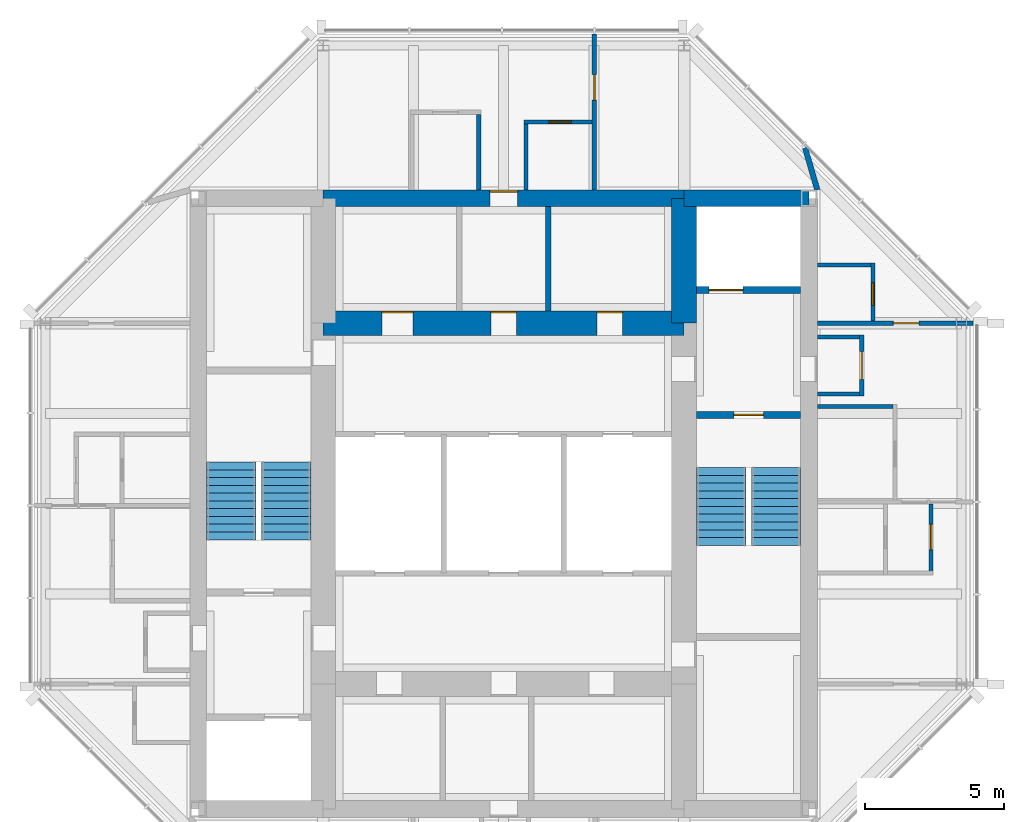
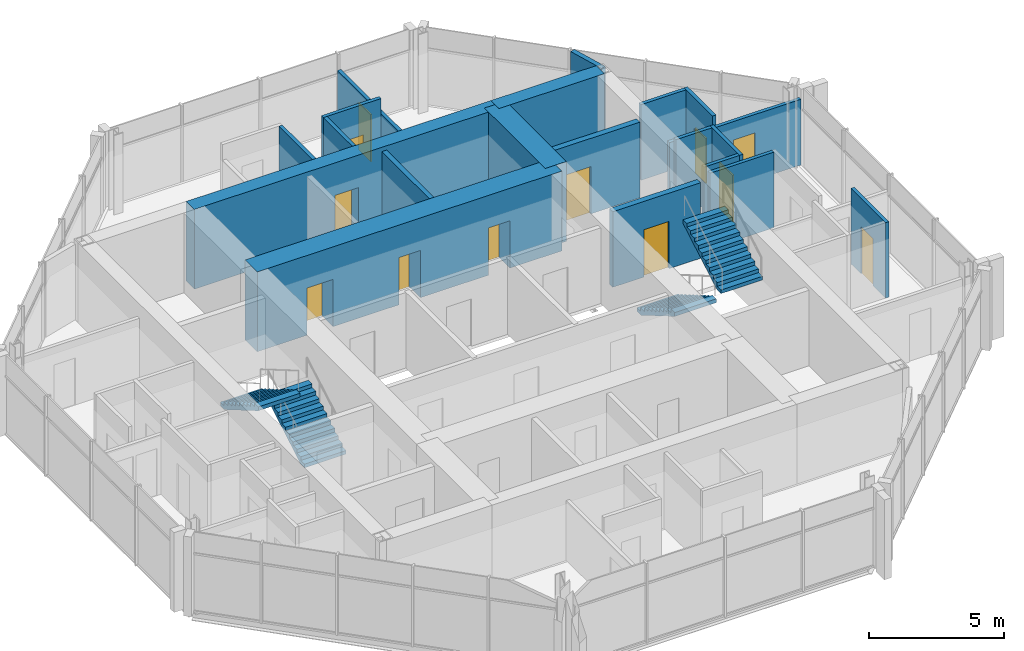
# One storey, part 7 of 9: 20 walls, 12 doors, 4 stair flights, 12 openings, 2 elements without a shape of their own.
"""IFC4 building model written with IfcOpenShell, lengths in metres."""

import ifcopenshell
import ifcopenshell.guid

model = None  # the IFC model being written
_history = None  # IfcOwnerHistory: only IFC2X3 demands one
_inside = {}  # id of a spatial element -> (the spatial element, [elements in it])
_under = {}  # id of a project, library or spatial element -> (it, [spatial elements below it])
_declared = {}  # id of a project -> (the project, [libraries it declares])
_typed = {}  # id of a type object -> (the type object, [elements of that type])
_made_of = {}  # id of a material, layer set ... -> (it, [elements and type objects made of it])


def new_model(schema):
    """Start an empty IFC model of exactly this schema.

    Asked for "IFC4X3", IfcOpenShell would pick the latest addendum, in which some entities
    have other attributes; the version numbers below select the first issue.
    IFC2X3 requires an IfcOwnerHistory on every rooted entity: one is made here for all.
    """
    global model, _history
    if schema == "IFC4X3":
        model = ifcopenshell.file(schema_version=(4, 3, 0, 0))
    else:
        model = ifcopenshell.file(schema=schema)
    _inside.clear()
    _under.clear()
    _declared.clear()
    _typed.clear()
    _made_of.clear()
    _history = None
    if model.schema == "IFC2X3":
        org = make("IfcOrganization", Name="unknown")
        user = make(
            "IfcPersonAndOrganization",
            ThePerson=make("IfcPerson", FamilyName="unknown"),
            TheOrganization=org,
        )
        app = make(
            "IfcApplication",
            ApplicationDeveloper=org,
            Version="unknown",
            ApplicationFullName="unknown",
            ApplicationIdentifier="unknown",
        )
        _history = make(
            "IfcOwnerHistory",
            OwningUser=user,
            OwningApplication=app,
            ChangeAction="ADDED",
            CreationDate=0,
        )
    return model


def make(cls, **values):
    """One entity of the class cls with the attributes given. An attribute that is None is left unset."""
    return model.create_entity(
        cls, **{name: value for name, value in values.items() if value is not None}
    )


def rooted(cls, **values):
    """An entity with a GlobalId (a new one), such as an element, a storey or a relation."""
    return make(cls, GlobalId=ifcopenshell.guid.new(), OwnerHistory=_history, **values)


def si_unit(unit_type, name, prefix=None):
    """IfcSIUnit, for example si_unit("LENGTHUNIT", "METRE", prefix="MILLI")."""
    return make("IfcSIUnit", UnitType=unit_type, Prefix=prefix, Name=name)


def assignment(units):
    """IfcUnitAssignment: the units of a project."""
    return None if units is None else make("IfcUnitAssignment", Units=units)


def point(xyz):
    """IfcCartesianPoint."""
    return None if xyz is None else make("IfcCartesianPoint", Coordinates=xyz)


def direction(xyz):
    """IfcDirection."""
    return None if xyz is None else make("IfcDirection", DirectionRatios=xyz)


def frame(location, z_axis=None, x_axis=None):
    """IfcAxis2Placement3D, a coordinate frame: its origin and axes. An axis left out is left unset."""
    return make(
        "IfcAxis2Placement3D",
        Location=point(location),
        Axis=direction(z_axis),
        RefDirection=direction(x_axis),
    )


def frame_2d(location, x_axis=None):
    """IfcAxis2Placement2D, a coordinate frame in the plane: its origin and x axis."""
    return make(
        "IfcAxis2Placement2D", Location=point(location), RefDirection=direction(x_axis)
    )


def origin():
    """The frame at (0, 0, 0) with its axes left unset."""
    return frame((0.0, 0.0, 0.0))


def place(relative_to, where):
    """IfcLocalPlacement: puts the frame where relative to a parent placement (None: the world)."""
    return make(
        "IfcLocalPlacement", PlacementRelTo=relative_to, RelativePlacement=where
    )


def context(
    kind, dimensions, precision=None, world=None, true_north=None, identifier=None
):
    """IfcGeometricRepresentationContext, for example the 3D "Model" context."""
    return make(
        "IfcGeometricRepresentationContext",
        ContextIdentifier=identifier,
        ContextType=kind,
        CoordinateSpaceDimension=dimensions,
        Precision=precision,
        WorldCoordinateSystem=world,
        TrueNorth=true_north,
    )


def subcontext(parent, identifier, kind, view, scale=None):
    """IfcGeometricRepresentationSubContext, for example "Body" below "Model"."""
    return make(
        "IfcGeometricRepresentationSubContext",
        ContextIdentifier=identifier,
        ContextType=kind,
        ParentContext=parent,
        TargetScale=scale,
        TargetView=view,
    )


def project(units=None, contexts=None):
    """IfcProject with its units and contexts."""
    return rooted(
        "IfcProject",
        Name="project",
        RepresentationContexts=contexts,
        UnitsInContext=assignment(units),
    )


def spatial(cls, under=None, at=None, **own):
    """A site, building, storey or space (cls), placed at a placement, below another one or the project."""
    s = rooted(cls, ObjectPlacement=at, **own)
    if under is not None:
        _under.setdefault(under.id(), (under, []))[1].append(s)
    return s


def polyline(points):
    """IfcPolyline through the points."""
    return make("IfcPolyline", Points=[point(p) for p in points])


def profile(cls, at=None, kind="AREA", **sizes):
    """A parametric profile (cls). Its sizes go by their IFC names, for example OverallWidth=200.0."""
    return make(cls, ProfileType=kind, Position=at, **sizes)


def rectangle(**sizes):
    """IfcRectangleProfileDef."""
    return profile("IfcRectangleProfileDef", **sizes)


def outline(outer, holes=None, kind="AREA"):
    """IfcArbitraryClosedProfileDef: a profile drawn as a closed curve; with holes, ...WithVoids."""
    if holes is None:
        return make("IfcArbitraryClosedProfileDef", ProfileType=kind, OuterCurve=outer)
    return make(
        "IfcArbitraryProfileDefWithVoids",
        ProfileType=kind,
        OuterCurve=outer,
        InnerCurves=holes,
    )


def extrude(swept, where, along, depth):
    """IfcExtrudedAreaSolid: the profile swept, set in the frame where, extruded along a direction by depth."""
    return make(
        "IfcExtrudedAreaSolid",
        SweptArea=swept,
        Position=where,
        ExtrudedDirection=direction(along),
        Depth=depth,
    )


def shape(context_of_items, identifier, shape_type, items):
    """IfcShapeRepresentation: the items that make up one representation, for example the "Body"."""
    return make(
        "IfcShapeRepresentation",
        ContextOfItems=context_of_items,
        RepresentationIdentifier=identifier,
        RepresentationType=shape_type,
        Items=items,
    )


def material(Name=None, Category=None):
    """IfcMaterial."""
    return make("IfcMaterial", Name=Name, Category=Category)


def layer(
    of_material, thickness, ventilated=None, Name=None, Category=None, Priority=None
):
    """IfcMaterialLayer: one layer of a wall or slab, of a material (None: an air gap)."""
    return make(
        "IfcMaterialLayer",
        Material=of_material,
        LayerThickness=thickness,
        IsVentilated=ventilated,
        Name=Name,
        Category=Category,
        Priority=Priority,
    )


def layer_set(layers, Name=None):
    """IfcMaterialLayerSet."""
    return make("IfcMaterialLayerSet", MaterialLayers=layers, LayerSetName=Name)


def made_of(thing, what):
    """Note that an element or type object is made of a material, layer set ...; save() writes the relation."""
    if what is not None:
        _made_of.setdefault(what.id(), (what, []))[1].append(thing)
    return thing


def type_object(cls, material=None, **own):
    """A type object (cls), such as IfcWallType, which elements share."""
    return made_of(rooted(cls, **own), material)


def element(
    cls,
    number,
    at=None,
    inside=None,
    cuts=None,
    type_object=None,
    material=None,
    context=None,
    identifier="Body",
    shape_type=None,
    held_by="IfcProductDefinitionShape",
    body=None,
    shapes=None,
    **own,
):
    """One element of the class cls, such as IfcWall. Its Tag is "e" and its number.

    at: its placement. inside: the storey or other place that contains it. cuts: it is an
    opening in that element (IfcRelVoidsElement). A single representation is given by context,
    identifier, shape_type and body (its items); several are given by shapes. held_by: the class
    of the entity that holds the representations. save() writes the other relations.
    """
    e = rooted(cls, Tag="e%d" % number, ObjectPlacement=at, **own)
    if body is not None:
        shapes = [shape(context, identifier, shape_type, body)]
    if shapes is not None:
        e.Representation = make(held_by, Representations=shapes)
    if inside is not None:
        _inside.setdefault(inside.id(), (inside, []))[1].append(e)
    if cuts is not None:
        rooted(
            "IfcRelVoidsElement", RelatingBuildingElement=cuts, RelatedOpeningElement=e
        )
    if type_object is not None:
        _typed.setdefault(type_object.id(), (type_object, []))[1].append(e)
    return made_of(e, material)


def fill(opening, filler):
    """IfcRelFillsElement: the door or window that sits in an opening."""
    return rooted(
        "IfcRelFillsElement",
        RelatingOpeningElement=opening,
        RelatedBuildingElement=filler,
    )


def aggregate(whole, parts):
    """IfcRelAggregates: a whole, such as a stair, and the parts it consists of."""
    return rooted("IfcRelAggregates", RelatingObject=whole, RelatedObjects=parts)


def save(model, path):
    """Write the relations noted so far, then the file.

    IfcRelAggregates (storeys below a building ...), IfcRelContainedInSpatialStructure (elements
    in a storey), IfcRelDefinesByType, IfcRelAssociatesMaterial and IfcRelDeclares: one each for
    every whole, place, type object, material and project.
    """
    for whole, parts in _under.values():
        aggregate(whole, parts)
    for where, things in _inside.values():
        rooted(
            "IfcRelContainedInSpatialStructure",
            RelatedElements=things,
            RelatingStructure=where,
        )
    for kind, things in _typed.values():
        rooted("IfcRelDefinesByType", RelatedObjects=things, RelatingType=kind)
    for what, things in _made_of.values():
        rooted("IfcRelAssociatesMaterial", RelatedObjects=things, RelatingMaterial=what)
    for by, libraries in _declared.values():
        rooted("IfcRelDeclares", RelatingContext=by, RelatedDefinitions=libraries)
    model.write(path)


model = new_model("IFC4")

# Units and contexts
model_context = context("Model", 3, precision=1e-05, world=origin(), true_north=direction((0.0, 1.0)))
body_context = subcontext(model_context, "Body", "Model", "MODEL_VIEW")
ifc_project = project(units=[si_unit("LENGTHUNIT", "METRE"), si_unit("AREAUNIT", "SQUARE_METRE"), si_unit("VOLUMEUNIT", "CUBIC_METRE"), si_unit("PLANEANGLEUNIT", "RADIAN"), si_unit("MASSUNIT", "GRAM", prefix="KILO")], contexts=[model_context])

# Site, building, storey
site_placement = place(None, origin())
site = spatial("IfcSite", under=ifc_project, at=site_placement, CompositionType="ELEMENT")
building_placement = place(site_placement, origin())
building = spatial("IfcBuilding", under=site, at=building_placement, Name="Trevanion Tower", CompositionType="ELEMENT")
storey_placement = place(building_placement, frame((0.0, 0.0, 284.800048828125)))
storey = spatial("IfcBuildingStorey", under=building, at=storey_placement, Name="L70", CompositionType="ELEMENT", Elevation=284.800048828125)

# Wall
ifc_material_1 = material(Name="Concrete 10,000 psi", Category="concrete")
ifc_layer_1 = layer(ifc_material_1, 0.60009765625)
ifc_layer_set_1 = layer_set([ifc_layer_1], Name="CW1 core wall 600")
wall_type_1 = type_object("IfcWallType", Name="CW1 core wall 600", PredefinedType="SHEAR", material=ifc_layer_set_1)
wall_1_placement = place(storey_placement, frame((11.0, 11.0, 0.0), z_axis=(0.0, 0.0, 1.0), x_axis=(-1.0, 0.0, 0.0)))
element("IfcWall", 1, at=wall_1_placement, inside=storey, type_object=wall_type_1, Name="CW1 CN1 L70", PredefinedType="SHEAR", context=body_context, shape_type="SweptSolid", body=[
    extrude(rectangle(XDim=4.5, YDim=0.60009765625, at=frame_2d((2.25, 0.0))), origin(), (0.0, 0.0, 1.0), 3.599853515625),
])

# Wall, opening, door
wall_2_placement = place(storey_placement, frame((6.5, 11.0, 0.0), z_axis=(0.0, 0.0, 1.0), x_axis=(-1.0, 0.0, 0.0)))
wall_2 = element("IfcWall", 2, at=wall_2_placement, inside=storey, type_object=wall_type_1, Name="CW1 CN2 L70", PredefinedType="SHEAR", context=body_context, shape_type="SweptSolid", body=[
    extrude(rectangle(XDim=13.0, YDim=0.60009765625, at=frame_2d((6.5, 0.0))), origin(), (0.0, 0.0, 1.0), 3.599853515625),
])
opening_1_placement = place(wall_2_placement, frame((6.0, 0.0, 0.0)))
opening_1 = element("IfcOpeningElement", 3, at=opening_1_placement, cuts=wall_2, Name="Opening 70-018", PredefinedType="OPENING", context=body_context, shape_type="SweptSolid", body=[
    extrude(rectangle(XDim=1.0, YDim=2.134033203125, at=frame_2d((0.5, 1.06689453125))), frame((0.0, 0.31005859375, 0.0), z_axis=(0.0, -1.0, 0.0), x_axis=(1.0, 0.0, 0.0)), (0.0, 0.0, 1.0), 0.6201171875),
])
ifc_material_2 = material(Name="Timber veneer on steel frame, fire rated", Category="steel")
door_type_1 = type_object("IfcDoorType", Name="D13 residence entrance door", OperationType="SINGLE_SWING_RIGHT", PredefinedType="DOOR", material=ifc_material_2)
door_1_placement = place(opening_1_placement, origin())
door_1 = element("IfcDoor", 4, at=door_1_placement, inside=storey, type_object=door_type_1, Name="Door 70-018", OperationType="SINGLE_SWING_RIGHT", OverallHeight=2.134033203125, OverallWidth=1.0, PredefinedType="DOOR", context=body_context, shape_type="SweptSolid", body=[
    extrude(rectangle(XDim=1.0, YDim=2.134033203125, at=frame_2d((0.5, 1.06689453125))), frame((0.0, -0.22509765625, 0.0), z_axis=(0.0, -1.0, 0.0), x_axis=(1.0, 0.0, 0.0)), (0.0, 0.0, 1.0), 0.050048828125),
])
fill(opening_1, door_1)

# Wall
ifc_material_3 = material(Name="Concrete 10,000 psi", Category="concrete")
ifc_layer_2 = layer(ifc_material_3, 0.89990234375)
ifc_layer_set_2 = layer_set([ifc_layer_2], Name="CW2 core wall 900")
wall_type_2 = type_object("IfcWallType", Name="CW2 core wall 900", PredefinedType="SHEAR", material=ifc_layer_set_2)
wall_3_placement = place(storey_placement, frame((6.5, 6.5, 0.0), z_axis=(0.0, 0.0, 1.0), x_axis=(0.0, 1.0, 0.0)))
element("IfcWall", 5, at=wall_3_placement, inside=storey, type_object=wall_type_2, Name="CW2 RE3 L70", PredefinedType="SHEAR", context=body_context, shape_type="SweptSolid", body=[
    extrude(rectangle(XDim=4.5, YDim=0.89990234375, at=frame_2d((2.25, 0.0))), origin(), (0.0, 0.0, 1.0), 3.599853515625),
])

# Wall, openings, doors
wall_4_placement = place(storey_placement, frame((6.5, 6.5, 0.0), z_axis=(0.0, 0.0, 1.0), x_axis=(-1.0, 0.0, 0.0)))
wall_4 = element("IfcWall", 6, at=wall_4_placement, inside=storey, type_object=wall_type_2, Name="CW2 RN L70", PredefinedType="SHEAR", context=body_context, shape_type="SweptSolid", body=[
    extrude(rectangle(XDim=13.0, YDim=0.89990234375, at=frame_2d((6.5, 0.0))), origin(), (0.0, 0.0, 1.0), 3.599853515625),
])
opening_2_placement = place(wall_4_placement, frame((6.04248046875, 0.0, 0.0)))
opening_2 = element("IfcOpeningElement", 7, at=opening_2_placement, cuts=wall_4, Name="Opening 70-017", PredefinedType="OPENING", context=body_context, shape_type="SweptSolid", body=[
    extrude(rectangle(XDim=0.9150390625, YDim=2.134033203125, at=frame_2d((0.45751953125, 1.06689453125))), frame((0.0, 0.4599609375, 0.0), z_axis=(0.0, -1.0, 0.0), x_axis=(1.0, 0.0, 0.0)), (0.0, 0.0, 1.0), 0.919921875),
])
opening_3_placement = place(wall_4_placement, frame((9.76611328125, 0.0, 0.0)))
opening_3 = element("IfcOpeningElement", 8, at=opening_3_placement, cuts=wall_4, Name="Opening 70-019", PredefinedType="OPENING", context=body_context, shape_type="SweptSolid", body=[
    extrude(rectangle(XDim=1.117919921875, YDim=2.134033203125, at=frame_2d((0.55908203125, 1.06689453125))), frame((0.0, 0.4599609375, 0.0), z_axis=(0.0, -1.0, 0.0), x_axis=(1.0, 0.0, 0.0)), (0.0, 0.0, 1.0), 0.919921875),
])
opening_4_placement = place(wall_4_placement, frame((2.217529296875, 0.0, 0.0)))
opening_4 = element("IfcOpeningElement", 9, at=opening_4_placement, cuts=wall_4, Name="Opening 70-020", PredefinedType="OPENING", context=body_context, shape_type="SweptSolid", body=[
    extrude(rectangle(XDim=0.9150390625, YDim=2.134033203125, at=frame_2d((0.45751953125, 1.06689453125))), frame((0.0, 0.4599609375, 0.0), z_axis=(0.0, -1.0, 0.0), x_axis=(1.0, 0.0, 0.0)), (0.0, 0.0, 1.0), 0.919921875),
])
ifc_material_4 = material(Name="Hollow metal, fire rated", Category="steel")
door_type_2 = type_object("IfcDoorType", Name="D16 refuse room door", OperationType="SINGLE_SWING_RIGHT", PredefinedType="DOOR", material=ifc_material_4)
door_2_placement = place(opening_3_placement, origin())
door_2 = element("IfcDoor", 10, at=door_2_placement, inside=storey, type_object=door_type_2, Name="Door 70-019", OperationType="SINGLE_SWING_RIGHT", OverallHeight=2.134033203125, OverallWidth=1.117919921875, PredefinedType="DOOR", context=body_context, shape_type="SweptSolid", body=[
    extrude(rectangle(XDim=1.117919921875, YDim=2.134033203125, at=frame_2d((0.55908203125, 1.06689453125))), frame((0.0, -0.375, 0.0), z_axis=(0.0, -1.0, 0.0), x_axis=(1.0, 0.0, 0.0)), (0.0, 0.0, 1.0), 0.050048828125),
])
fill(opening_3, door_2)
ifc_material_5 = material(Name="Hollow metal, fire rated", Category="steel")
door_type_3 = type_object("IfcDoorType", Name="D3 fire lift lobby door", OperationType="SINGLE_SWING_RIGHT", PredefinedType="DOOR", material=ifc_material_5)
door_3_placement = place(opening_2_placement, origin())
door_3 = element("IfcDoor", 11, at=door_3_placement, inside=storey, type_object=door_type_3, Name="Door 70-017", OperationType="SINGLE_SWING_RIGHT", OverallHeight=2.134033203125, OverallWidth=0.9150390625, PredefinedType="DOOR", context=body_context, shape_type="SweptSolid", body=[
    extrude(rectangle(XDim=0.9150390625, YDim=2.134033203125, at=frame_2d((0.45751953125, 1.06689453125))), frame((0.0, -0.375, 0.0), z_axis=(0.0, -1.0, 0.0), x_axis=(1.0, 0.0, 0.0)), (0.0, 0.0, 1.0), 0.050048828125),
])
fill(opening_2, door_3)
ifc_material_6 = material(Name="Hollow metal, fire rated", Category="steel")
door_type_4 = type_object("IfcDoorType", Name="D5 service room door", OperationType="SINGLE_SWING_RIGHT", PredefinedType="DOOR", material=ifc_material_6)
door_4_placement = place(opening_4_placement, origin())
door_4 = element("IfcDoor", 12, at=door_4_placement, inside=storey, type_object=door_type_4, Name="Door 70-020", OperationType="SINGLE_SWING_RIGHT", OverallHeight=2.134033203125, OverallWidth=0.9150390625, PredefinedType="DOOR", context=body_context, shape_type="SweptSolid", body=[
    extrude(rectangle(XDim=0.9150390625, YDim=2.134033203125, at=frame_2d((0.45751953125, 1.06689453125))), frame((0.0, -0.375, 0.0), z_axis=(0.0, -1.0, 0.0), x_axis=(1.0, 0.0, 0.0)), (0.0, 0.0, 1.0), 0.050048828125),
])
fill(opening_4, door_4)

# Wall, opening, door
ifc_material_7 = material(Name="Gypsum board on steel studs", Category="steel")
ifc_layer_3 = layer(ifc_material_7, 0.14990234375)
ifc_layer_set_3 = layer_set([ifc_layer_3], Name="PT1 partition 150")
wall_type_3 = type_object("IfcWallType", Name="PT1 partition 150", PredefinedType="PARTITIONING", material=ifc_layer_set_3)
wall_5_placement = place(storey_placement, frame((11.300048828125, 6.5, 0.0), z_axis=(0.0, 0.0, 1.0), x_axis=(1.0, 0.0, 0.0)))
wall_5 = element("IfcWall", 13, at=wall_5_placement, inside=storey, type_object=wall_type_3, Name="PT1 L70 REC2", PredefinedType="PARTITIONING", context=body_context, shape_type="SweptSolid", body=[
    extrude(rectangle(XDim=5.614990234375, YDim=0.14990234375, at=frame_2d((2.8076171875, 0.0))), origin(), (0.0, 0.0, 1.0), 2.965576171875),
])
opening_5_placement = place(wall_5_placement, frame((2.742431640625, 0.0, 0.0)))
opening_5 = element("IfcOpeningElement", 14, at=opening_5_placement, cuts=wall_5, Name="Opening 70-033", PredefinedType="OPENING", context=body_context, shape_type="SweptSolid", body=[
    extrude(rectangle(XDim=0.9150390625, YDim=2.134033203125, at=frame_2d((0.45751953125, 1.06689453125))), frame((0.0, 0.0849609375, 0.0), z_axis=(0.0, -1.0, 0.0), x_axis=(1.0, 0.0, 0.0)), (0.0, 0.0, 1.0), 0.169921875),
])
ifc_material_8 = material(Name="Timber veneer, solid core", Category="wood")
door_type_5 = type_object("IfcDoorType", Name="D1 office and meeting room door", OperationType="SINGLE_SWING_LEFT", PredefinedType="DOOR", material=ifc_material_8)
door_5_placement = place(opening_5_placement, origin())
door_5 = element("IfcDoor", 15, at=door_5_placement, inside=storey, type_object=door_type_5, Name="Door 70-033", OperationType="SINGLE_SWING_LEFT", OverallHeight=2.134033203125, OverallWidth=0.9150390625, PredefinedType="DOOR", context=body_context, shape_type="SweptSolid", body=[
    extrude(rectangle(XDim=0.9150390625, YDim=2.134033203125, at=frame_2d((0.45751953125, 1.06689453125))), frame((0.0, 0.02490234375, 0.0), z_axis=(0.0, -1.0, 0.0), x_axis=(1.0, 0.0, 0.0)), (0.0, 0.0, 1.0), 0.050048828125),
])
fill(opening_5, door_5)

# Walls
for number, where, z_axis, x_axis, name in (
    (16, (11.300048828125, 3.949951171875, 0.0), (0.0, 0.0, 1.0), (1.0, 0.0, 0.0), "PT1 L70 REEA"),
    (17, (11.300048828125, 6.0, 0.0), (0.0, 0.0, 1.0), (1.0, 0.0, 0.0), "PT1 L70 REEB"),
):
    element("IfcWall", number, at=place(storey_placement, frame(where, z_axis=z_axis, x_axis=x_axis)), inside=storey, type_object=wall_type_3, Name=name, PredefinedType="PARTITIONING", context=body_context, shape_type="SweptSolid", body=[
        extrude(rectangle(XDim=1.52490234375, YDim=0.14990234375, at=frame_2d((0.762451171875, 0.0))), origin(), (0.0, 0.0, 1.0), 3.409912109375),
    ])
wall_6_placement = place(storey_placement, frame((11.300048828125, 3.5, 0.0), z_axis=(0.0, 0.0, 1.0), x_axis=(1.0, 0.0, 0.0)))
element("IfcWall", 18, at=wall_6_placement, inside=storey, type_object=wall_type_3, Name="PT1 L70 REKB", PredefinedType="PARTITIONING", context=body_context, shape_type="SweptSolid", body=[
    extrude(rectangle(XDim=2.724853515625, YDim=0.14990234375, at=frame_2d((1.3623046875, 0.0))), origin(), (0.0, 0.0, 1.0), 3.409912109375),
])

# Wall, opening, door
wall_7_placement = place(storey_placement, frame((13.300048828125, 6.574951171875, 0.0), z_axis=(0.0, 0.0, 1.0), x_axis=(0.0, 1.0, 0.0)))
wall_7 = element("IfcWall", 19, at=wall_7_placement, inside=storey, type_object=wall_type_3, Name="PT1 L70 REWF", PredefinedType="PARTITIONING", context=body_context, shape_type="SweptSolid", body=[
    extrude(rectangle(XDim=2.10009765625, YDim=0.14990234375, at=frame_2d((1.050048828125, 0.0))), origin(), (0.0, 0.0, 1.0), 3.409912109375),
])
opening_6_placement = place(wall_7_placement, frame((0.568603515625, 0.0, 0.0)))
opening_6 = element("IfcOpeningElement", 20, at=opening_6_placement, cuts=wall_7, Name="Opening 70-027", PredefinedType="OPENING", context=body_context, shape_type="SweptSolid", body=[
    extrude(rectangle(XDim=0.81298828125, YDim=2.031982421875, at=frame_2d((0.406494140625, 1.01611328125))), frame((0.0, 0.0849609375, 0.0), z_axis=(0.0, -1.0, 0.0), x_axis=(1.0, 0.0, 0.0)), (0.0, 0.0, 1.0), 0.169921875),
])
ifc_material_9 = material(Name="Timber veneer", Category="wood")
door_type_6 = type_object("IfcDoorType", Name="D14 residence bathroom door", OperationType="SINGLE_SWING_LEFT", PredefinedType="DOOR", material=ifc_material_9)
door_6_placement = place(opening_6_placement, origin())
door_6 = element("IfcDoor", 21, at=door_6_placement, inside=storey, type_object=door_type_6, Name="Door 70-027", OperationType="SINGLE_SWING_LEFT", OverallHeight=2.031982421875, OverallWidth=0.81298828125, PredefinedType="DOOR", context=body_context, shape_type="SweptSolid", body=[
    extrude(rectangle(XDim=0.81298828125, YDim=2.031982421875, at=frame_2d((0.406494140625, 1.01611328125))), frame((0.0, 0.02490234375, 0.0), z_axis=(0.0, -1.0, 0.0), x_axis=(1.0, 0.0, 0.0)), (0.0, 0.0, 1.0), 0.050048828125),
])
fill(opening_6, door_6)

# Wall
wall_8_placement = place(storey_placement, frame((11.300048828125, 8.60009765625, 0.0), z_axis=(0.0, 0.0, 1.0), x_axis=(1.0, 0.0, 0.0)))
element("IfcWall", 22, at=wall_8_placement, inside=storey, type_object=wall_type_3, Name="PT1 L70 REWB", PredefinedType="PARTITIONING", context=body_context, shape_type="SweptSolid", body=[
    extrude(rectangle(XDim=1.925048828125, YDim=0.14990234375, at=frame_2d((0.96240234375, 0.0))), origin(), (0.0, 0.0, 1.0), 3.409912109375),
])

# Wall, opening, door
wall_9_placement = place(storey_placement, frame((15.39990234375, -0.010009765625, 0.0), z_axis=(0.0, 0.0, 1.0), x_axis=(0.0, -1.0, 0.0)))
wall_9 = element("IfcWall", 23, at=wall_9_placement, inside=storey, type_object=wall_type_3, Name="PT1 L70 REHX", PredefinedType="PARTITIONING", context=body_context, shape_type="SweptSolid", body=[
    extrude(rectangle(XDim=2.56494140625, YDim=0.14990234375, at=frame_2d((1.282470703125, 0.0))), origin(), (0.0, 0.0, 1.0), 3.409912109375),
])
opening_7_placement = place(wall_9_placement, frame((0.732421875, 0.0, 0.0)))
opening_7 = element("IfcOpeningElement", 24, at=opening_7_placement, cuts=wall_9, Name="Opening 70-030", PredefinedType="OPENING", context=body_context, shape_type="SweptSolid", body=[
    extrude(rectangle(XDim=0.9150390625, YDim=2.134033203125, at=frame_2d((0.45751953125, 1.06689453125))), frame((0.0, 0.0849609375, 0.0), z_axis=(0.0, -1.0, 0.0), x_axis=(1.0, 0.0, 0.0)), (0.0, 0.0, 1.0), 0.169921875),
])
door_7_placement = place(opening_7_placement, origin())
door_7 = element("IfcDoor", 25, at=door_7_placement, inside=storey, type_object=door_type_5, Name="Door 70-030", OperationType="SINGLE_SWING_LEFT", OverallHeight=2.134033203125, OverallWidth=0.9150390625, PredefinedType="DOOR", context=body_context, shape_type="SweptSolid", body=[
    extrude(rectangle(XDim=0.9150390625, YDim=2.134033203125, at=frame_2d((0.45751953125, 1.06689453125))), frame((0.0, 0.02490234375, 0.0), z_axis=(0.0, -1.0, 0.0), x_axis=(1.0, 0.0, 0.0)), (0.0, 0.0, 1.0), 0.050048828125),
])
fill(opening_7, door_7)

wall_10_placement = place(storey_placement, frame((3.26611328125, 11.300048828125, 0.0), z_axis=(0.0, 0.0, 1.0), x_axis=(0.0, 1.0, 0.0)))
wall_10 = element("IfcWall", 26, at=wall_10_placement, inside=storey, type_object=wall_type_3, Name="PT1 L70 RNC0", PredefinedType="PARTITIONING", context=body_context, shape_type="SweptSolid", body=[
    extrude(rectangle(XDim=5.614990234375, YDim=0.14990234375, at=frame_2d((2.8076171875, 0.0))), origin(), (0.0, 0.0, 1.0), 2.708984375),
])
opening_8_placement = place(wall_10_placement, frame((3.242431640625, 0.0, 0.0)))
opening_8 = element("IfcOpeningElement", 27, at=opening_8_placement, cuts=wall_10, Name="Opening 70-036", PredefinedType="OPENING", context=body_context, shape_type="SweptSolid", body=[
    extrude(rectangle(XDim=0.9150390625, YDim=2.134033203125, at=frame_2d((0.45751953125, 1.06689453125))), frame((0.0, 0.0849609375, 0.0), z_axis=(0.0, -1.0, 0.0), x_axis=(1.0, 0.0, 0.0)), (0.0, 0.0, 1.0), 0.169921875),
])
door_8_placement = place(opening_8_placement, origin())
door_8 = element("IfcDoor", 28, at=door_8_placement, inside=storey, type_object=door_type_5, Name="Door 70-036", OperationType="SINGLE_SWING_LEFT", OverallHeight=2.134033203125, OverallWidth=0.9150390625, PredefinedType="DOOR", context=body_context, shape_type="SweptSolid", body=[
    extrude(rectangle(XDim=0.9150390625, YDim=2.134033203125, at=frame_2d((0.45751953125, 1.06689453125))), frame((0.0, 0.02490234375, 0.0), z_axis=(0.0, -1.0, 0.0), x_axis=(1.0, 0.0, 0.0)), (0.0, 0.0, 1.0), 0.050048828125),
])
fill(opening_8, door_8)

# Wall
wall_11_placement = place(storey_placement, frame((-0.89990234375, 11.300048828125, 0.0), z_axis=(0.0, 0.0, 1.0), x_axis=(0.0, 1.0, 0.0)))
element("IfcWall", 29, at=wall_11_placement, inside=storey, type_object=wall_type_3, Name="PT1 L70 RNKA", PredefinedType="PARTITIONING", context=body_context, shape_type="SweptSolid", body=[
    extrude(rectangle(XDim=2.724853515625, YDim=0.14990234375, at=frame_2d((1.3623046875, 0.0))), origin(), (0.0, 0.0, 1.0), 3.409912109375),
])

# Wall, opening, door
wall_12_placement = place(storey_placement, frame((3.19091796875, 13.75, 0.0), z_axis=(0.0, 0.0, 1.0), x_axis=(-1.0, 0.0, 0.0)))
wall_12 = element("IfcWall", 30, at=wall_12_placement, inside=storey, type_object=wall_type_3, Name="PT1 L70 RNTF", PredefinedType="PARTITIONING", context=body_context, shape_type="SweptSolid", body=[
    extrude(rectangle(XDim=2.4658203125, YDim=0.14990234375, at=frame_2d((1.23291015625, 0.0))), origin(), (0.0, 0.0, 1.0), 3.409912109375),
])
opening_9_placement = place(wall_12_placement, frame((0.75146484375, 0.0, 0.0)))
opening_9 = element("IfcOpeningElement", 31, at=opening_9_placement, cuts=wall_12, Name="Opening 70-035", PredefinedType="OPENING", context=body_context, shape_type="SweptSolid", body=[
    extrude(rectangle(XDim=0.81298828125, YDim=2.031982421875, at=frame_2d((0.406494140625, 1.01611328125))), frame((0.0, 0.0849609375, 0.0), z_axis=(0.0, -1.0, 0.0), x_axis=(1.0, 0.0, 0.0)), (0.0, 0.0, 1.0), 0.169921875),
])
door_9_placement = place(opening_9_placement, origin())
door_9 = element("IfcDoor", 32, at=door_9_placement, inside=storey, type_object=door_type_6, Name="Door 70-035", OperationType="SINGLE_SWING_LEFT", OverallHeight=2.031982421875, OverallWidth=0.81298828125, PredefinedType="DOOR", context=body_context, shape_type="SweptSolid", body=[
    extrude(rectangle(XDim=0.81298828125, YDim=2.031982421875, at=frame_2d((0.406494140625, 1.01611328125))), frame((0.0, 0.02490234375, 0.0), z_axis=(0.0, -1.0, 0.0), x_axis=(1.0, 0.0, 0.0)), (0.0, 0.0, 1.0), 0.050048828125),
])
fill(opening_9, door_9)

# Wall
wall_13_placement = place(storey_placement, frame((0.800048828125, 11.300048828125, 0.0), z_axis=(0.0, 0.0, 1.0), x_axis=(0.0, 1.0, 0.0)))
element("IfcWall", 33, at=wall_13_placement, inside=storey, type_object=wall_type_3, Name="PT1 L70 RNTB", PredefinedType="PARTITIONING", context=body_context, shape_type="SweptSolid", body=[
    extrude(rectangle(XDim=2.375, YDim=0.14990234375, at=frame_2d((1.1875, 0.0))), origin(), (0.0, 0.0, 1.0), 3.409912109375),
])

# Wall, opening, door
ifc_material_10 = material(Name="Gypsum board on steel studs", Category="steel")
ifc_layer_4 = layer(ifc_material_10, 0.14990234375)
ifc_layer_set_4 = layer_set([ifc_layer_4], Name="PT1 partition 150 1 HR")
wall_type_4 = type_object("IfcWallType", Name="PT1 partition 150 1 HR", PredefinedType="PARTITIONING", material=ifc_layer_set_4)
wall_14_placement = place(storey_placement, frame((12.89990234375, 3.875, 0.0), z_axis=(0.0, 0.0, 1.0), x_axis=(0.0, 1.0, 0.0)))
wall_14 = element("IfcWall", 34, at=wall_14_placement, inside=storey, type_object=wall_type_4, Name="PT1 L70 REEF", PredefinedType="PARTITIONING", context=body_context, shape_type="SweptSolid", body=[
    extrude(rectangle(XDim=2.199951171875, YDim=0.14990234375, at=frame_2d((1.10009765625, 0.0))), origin(), (0.0, 0.0, 1.0), 3.409912109375),
])
opening_10_placement = place(wall_14_placement, frame((0.60009765625, 0.0, 0.0)))
opening_10 = element("IfcOpeningElement", 35, at=opening_10_placement, cuts=wall_14, Name="Opening 70-025", PredefinedType="OPENING", context=body_context, shape_type="SweptSolid", body=[
    extrude(rectangle(XDim=1.0, YDim=2.134033203125, at=frame_2d((0.5, 1.06689453125))), frame((0.0, 0.0849609375, 0.0), z_axis=(0.0, -1.0, 0.0), x_axis=(1.0, 0.0, 0.0)), (0.0, 0.0, 1.0), 0.169921875),
])
door_10_placement = place(opening_10_placement, origin())
door_10 = element("IfcDoor", 36, at=door_10_placement, inside=storey, type_object=door_type_1, Name="Door 70-025", OperationType="SINGLE_SWING_RIGHT", OverallHeight=2.134033203125, OverallWidth=1.0, PredefinedType="DOOR", context=body_context, shape_type="SweptSolid", body=[
    extrude(rectangle(XDim=1.0, YDim=2.134033203125, at=frame_2d((0.5, 1.06689453125))), frame((0.0, 0.02490234375, 0.0), z_axis=(0.0, -1.0, 0.0), x_axis=(1.0, 0.0, 0.0)), (0.0, 0.0, 1.0), 0.050048828125),
])
fill(opening_10, door_10)

# Walls
ifc_material_11 = material(Name="Concrete masonry, grouted", Category="masonry")
ifc_layer_5 = layer(ifc_material_11, 0.199951171875)
ifc_layer_set_5 = layer_set([ifc_layer_5], Name="PT2 partition 200 1 HR")
wall_type_5 = type_object("IfcWallType", Name="PT2 partition 200 1 HR", PredefinedType="PARTITIONING", material=ifc_layer_set_5)
wall_15_placement = place(storey_placement, frame((1.60009765625, 6.949951171875, 0.0), z_axis=(0.0, 0.0, 1.0), x_axis=(0.0, 1.0, 0.0)))
element("IfcWall", 37, at=wall_15_placement, inside=storey, type_object=wall_type_5, Name="PT2 L70 CNP2", PredefinedType="PARTITIONING", context=body_context, shape_type="SweptSolid", body=[
    extrude(rectangle(XDim=3.75, YDim=0.199951171875, at=frame_2d((1.875, 0.0))), origin(), (0.0, 0.0, 1.0), 3.409912109375),
])
wall_16_placement = place(storey_placement, frame((11.300048828125, 11.300048828125, 0.0), z_axis=(0.0, 0.0, 1.0), x_axis=(-0.278099250491, 0.960552344683, 0.0)))
element("IfcWall", 38, at=wall_16_placement, inside=storey, type_object=wall_type_5, Name="PT2 L70 UB0", PredefinedType="PARTITIONING", context=body_context, shape_type="SweptSolid", body=[
    extrude(rectangle(XDim=1.583740234375, YDim=0.199951171875, at=frame_2d((0.7919921875, 0.0))), origin(), (0.0, 0.0, 1.0), 3.409912109375),
])

# Wall, opening, door
ifc_material_12 = material(Name="Concrete masonry, grouted, two-hour", Category="masonry")
ifc_layer_6 = layer(ifc_material_12, 0.25)
ifc_layer_set_6 = layer_set([ifc_layer_6], Name="PT3 partition 250 2 HR")
wall_type_6 = type_object("IfcWallType", Name="PT3 partition 250 2 HR", PredefinedType="PARTITIONING", material=ifc_layer_set_6)
wall_17_placement = place(storey_placement, frame((6.949951171875, 7.699951171875, 0.0), z_axis=(0.0, 0.0, 1.0), x_axis=(1.0, 0.0, 0.0)))
wall_17 = element("IfcWall", 39, at=wall_17_placement, inside=storey, type_object=wall_type_6, Name="PT3 L70 EP3", PredefinedType="PARTITIONING", context=body_context, shape_type="SweptSolid", body=[
    extrude(rectangle(XDim=3.75, YDim=0.25, at=frame_2d((1.875, 0.0))), origin(), (0.0, 0.0, 1.0), 3.409912109375),
])
opening_11_placement = place(wall_17_placement, frame((0.449951171875, 0.0, 0.0)))
opening_11 = element("IfcOpeningElement", 40, at=opening_11_placement, cuts=wall_17, Name="Opening 70-007", PredefinedType="OPENING", context=body_context, shape_type="SweptSolid", body=[
    extrude(rectangle(XDim=1.218994140625, YDim=2.134033203125, at=frame_2d((0.609375, 1.06689453125))), frame((0.0, 0.135009765625, 0.0), z_axis=(0.0, -1.0, 0.0), x_axis=(1.0, 0.0, 0.0)), (0.0, 0.0, 1.0), 0.27001953125),
])
ifc_material_13 = material(Name="Stainless steel, fire rated", Category="steel")
door_type_7 = type_object("IfcDoorType", Name="LD2 fire service lift landing door", OperationType="SLIDING_TO_LEFT", PredefinedType="DOOR", material=ifc_material_13)
door_11_placement = place(opening_11_placement, origin())
door_11 = element("IfcDoor", 41, at=door_11_placement, inside=storey, type_object=door_type_7, Name="Door 70-007", OperationType="SLIDING_TO_LEFT", OverallHeight=2.134033203125, OverallWidth=1.218994140625, PredefinedType="DOOR", context=body_context, shape_type="SweptSolid", body=[
    extrude(rectangle(XDim=1.218994140625, YDim=2.134033203125, at=frame_2d((0.609375, 1.06689453125))), frame((0.0, 0.02490234375, 0.0), z_axis=(0.0, -1.0, 0.0), x_axis=(1.0, 0.0, 0.0)), (0.0, 0.0, 1.0), 0.050048828125),
])
fill(opening_11, door_11)

ifc_material_14 = material(Name="Reinforced masonry, fully grouted", Category="masonry")
ifc_layer_7 = layer(ifc_material_14, 0.25)
ifc_layer_set_7 = layer_set([ifc_layer_7], Name="SW1 stair shaft wall 250")
wall_type_7 = type_object("IfcWallType", Name="SW1 stair shaft wall 250", PredefinedType="SOLIDWALL", material=ifc_layer_set_7)
wall_18_placement = place(storey_placement, frame((6.949951171875, 3.199951171875, 0.0), z_axis=(0.0, 0.0, 1.0), x_axis=(1.0, 0.0, 0.0)))
wall_18 = element("IfcWall", 42, at=wall_18_placement, inside=storey, type_object=wall_type_7, Name="SW1 L70 EP2", PredefinedType="SOLIDWALL", context=body_context, shape_type="SweptSolid", body=[
    extrude(rectangle(XDim=3.75, YDim=0.25, at=frame_2d((1.875, 0.0))), origin(), (0.0, 0.0, 1.0), 3.409912109375),
])
opening_12_placement = place(wall_18_placement, frame((1.341552734375, 0.0, 0.0)))
opening_12 = element("IfcOpeningElement", 43, at=opening_12_placement, cuts=wall_18, Name="Opening 70-005", PredefinedType="OPENING", context=body_context, shape_type="SweptSolid", body=[
    extrude(rectangle(XDim=1.06689453125, YDim=2.134033203125, at=frame_2d((0.533447265625, 1.06689453125))), frame((0.0, 0.135009765625, 0.0), z_axis=(0.0, -1.0, 0.0), x_axis=(1.0, 0.0, 0.0)), (0.0, 0.0, 1.0), 0.27001953125),
])
ifc_material_15 = material(Name="Hollow metal, fire rated", Category="steel")
door_type_8 = type_object("IfcDoorType", Name="D2 exit stair door", OperationType="SINGLE_SWING_LEFT", PredefinedType="DOOR", material=ifc_material_15)
door_12_placement = place(opening_12_placement, origin())
door_12 = element("IfcDoor", 44, at=door_12_placement, inside=storey, type_object=door_type_8, Name="Door 70-005", OperationType="SINGLE_SWING_LEFT", OverallHeight=2.134033203125, OverallWidth=1.06689453125, PredefinedType="DOOR", context=body_context, shape_type="SweptSolid", body=[
    extrude(rectangle(XDim=1.06689453125, YDim=2.134033203125, at=frame_2d((0.533447265625, 1.06689453125))), frame((0.0, 0.02490234375, 0.0), z_axis=(0.0, -1.0, 0.0), x_axis=(1.0, 0.0, 0.0)), (0.0, 0.0, 1.0), 0.050048828125),
])
fill(opening_12, door_12)

# Stair, stair flights
ifc_material_16 = material(Name="Concrete 5,000 psi on steel stringers", Category="concrete")
stair_type = type_object("IfcStairType", Name="ST stair", PredefinedType="HALF_TURN_STAIR", material=ifc_material_16)
stair_1_placement = place(storey_placement, origin())
stair_1 = element("IfcStair", 45, at=stair_1_placement, inside=storey, type_object=stair_type, Name="ST1 L70", PredefinedType="HALF_TURN_STAIR")
ifc_material_17 = material(Name="Concrete 5,000 psi in steel pan", Category="concrete")
stair_flight_type = type_object("IfcStairFlightType", Name="STF stair flight", PredefinedType="STRAIGHT", material=ifc_material_17)
stair_flight_1_placement = place(storey_placement, frame((7.83740234375, 1.300048828125, 0.0), z_axis=(0.0, 0.0, 1.0), x_axis=(0.0, -1.0, 0.0)))
stair_flight_1 = element("IfcStairFlight", 46, at=stair_flight_1_placement, type_object=stair_flight_type, Name="ST1 flight 1", NumberOfRisers=11, NumberOfTreads=10, PredefinedType="STRAIGHT", RiserHeight=0.163636364, TreadLength=0.28, context=body_context, shape_type="SweptSolid", body=[
    extrude(outline(polyline([(0.0, 0.0), (0.0, 0.16357421875), (0.280029296875, 0.16357421875), (0.280029296875, 0.327392578125), (0.56005859375, 0.327392578125), (0.56005859375, 0.490966796875), (0.840087890625, 0.490966796875), (0.840087890625, 0.654541015625), (1.1201171875, 0.654541015625), (1.1201171875, 0.818115234375), (1.39990234375, 0.818115234375), (1.39990234375, 0.98193359375), (1.679931640625, 0.98193359375), (1.679931640625, 1.1455078125), (1.9599609375, 1.1455078125), (1.9599609375, 1.30908203125), (2.239990234375, 1.30908203125), (2.239990234375, 1.47265625), (2.52001953125, 1.47265625), (2.52001953125, 1.636474609375), (2.800048828125, 1.636474609375), (2.800048828125, 1.800048828125), (2.800048828125, 1.462646484375), (0.297119140625, 0.0), (0.0, 0.0)])), frame((0.0, 0.887451171875, 0.0), z_axis=(0.0, -1.0, 0.0), x_axis=(1.0, 0.0, 0.0)), (0.0, 0.0, 1.0), 1.77490234375),
])
stair_flight_2_placement = place(storey_placement, frame((9.8125, -1.5, 1.800048828125), z_axis=(0.0, 0.0, 1.0), x_axis=(0.0, 1.0, 0.0)))
stair_flight_2 = element("IfcStairFlight", 47, at=stair_flight_2_placement, type_object=stair_flight_type, Name="ST1 flight 2", NumberOfRisers=11, NumberOfTreads=10, PredefinedType="STRAIGHT", RiserHeight=0.163636364, TreadLength=0.28, context=body_context, shape_type="SweptSolid", body=[
    extrude(outline(polyline([(0.0, 0.0), (0.0, 0.16357421875), (0.280029296875, 0.16357421875), (0.280029296875, 0.327392578125), (0.56005859375, 0.327392578125), (0.56005859375, 0.490966796875), (0.840087890625, 0.490966796875), (0.840087890625, 0.654541015625), (1.1201171875, 0.654541015625), (1.1201171875, 0.818115234375), (1.39990234375, 0.818115234375), (1.39990234375, 0.98193359375), (1.679931640625, 0.98193359375), (1.679931640625, 1.1455078125), (1.9599609375, 1.1455078125), (1.9599609375, 1.30908203125), (2.239990234375, 1.30908203125), (2.239990234375, 1.47265625), (2.52001953125, 1.47265625), (2.52001953125, 1.636474609375), (2.800048828125, 1.636474609375), (2.800048828125, 1.800048828125), (2.800048828125, 1.462646484375), (0.297119140625, 0.0), (0.0, 0.0)])), frame((0.0, 0.887451171875, 0.0), z_axis=(0.0, -1.0, 0.0), x_axis=(1.0, 0.0, 0.0)), (0.0, 0.0, 1.0), 1.77490234375),
])
aggregate(stair_1, [stair_flight_1, stair_flight_2])

stair_2_placement = place(storey_placement, origin())
stair_2 = element("IfcStair", 48, at=stair_2_placement, inside=storey, type_object=stair_type, Name="ST2 L70", PredefinedType="HALF_TURN_STAIR")
stair_flight_3_placement = place(storey_placement, frame((-7.83740234375, -1.300048828125, 0.0), z_axis=(0.0, 0.0, 1.0), x_axis=(0.0, 1.0, 0.0)))
stair_flight_3 = element("IfcStairFlight", 49, at=stair_flight_3_placement, type_object=stair_flight_type, Name="ST2 flight 1", NumberOfRisers=11, NumberOfTreads=10, PredefinedType="STRAIGHT", RiserHeight=0.163636364, TreadLength=0.28, context=body_context, shape_type="SweptSolid", body=[
    extrude(outline(polyline([(0.0, 0.0), (0.0, 0.16357421875), (0.280029296875, 0.16357421875), (0.280029296875, 0.327392578125), (0.56005859375, 0.327392578125), (0.56005859375, 0.490966796875), (0.840087890625, 0.490966796875), (0.840087890625, 0.654541015625), (1.1201171875, 0.654541015625), (1.1201171875, 0.818115234375), (1.39990234375, 0.818115234375), (1.39990234375, 0.98193359375), (1.679931640625, 0.98193359375), (1.679931640625, 1.1455078125), (1.9599609375, 1.1455078125), (1.9599609375, 1.30908203125), (2.239990234375, 1.30908203125), (2.239990234375, 1.47265625), (2.52001953125, 1.47265625), (2.52001953125, 1.636474609375), (2.800048828125, 1.636474609375), (2.800048828125, 1.800048828125), (2.800048828125, 1.462646484375), (0.297119140625, 0.0), (0.0, 0.0)])), frame((0.0, 0.887451171875, 0.0), z_axis=(0.0, -1.0, 0.0), x_axis=(1.0, 0.0, 0.0)), (0.0, 0.0, 1.0), 1.77490234375),
])
stair_flight_4_placement = place(storey_placement, frame((-9.8125, 1.5, 1.800048828125), z_axis=(0.0, 0.0, 1.0), x_axis=(0.0, -1.0, 0.0)))
stair_flight_4 = element("IfcStairFlight", 50, at=stair_flight_4_placement, type_object=stair_flight_type, Name="ST2 flight 2", NumberOfRisers=11, NumberOfTreads=10, PredefinedType="STRAIGHT", RiserHeight=0.163636364, TreadLength=0.28, context=body_context, shape_type="SweptSolid", body=[
    extrude(outline(polyline([(0.0, 0.0), (0.0, 0.16357421875), (0.280029296875, 0.16357421875), (0.280029296875, 0.327392578125), (0.56005859375, 0.327392578125), (0.56005859375, 0.490966796875), (0.840087890625, 0.490966796875), (0.840087890625, 0.654541015625), (1.1201171875, 0.654541015625), (1.1201171875, 0.818115234375), (1.39990234375, 0.818115234375), (1.39990234375, 0.98193359375), (1.679931640625, 0.98193359375), (1.679931640625, 1.1455078125), (1.9599609375, 1.1455078125), (1.9599609375, 1.30908203125), (2.239990234375, 1.30908203125), (2.239990234375, 1.47265625), (2.52001953125, 1.47265625), (2.52001953125, 1.636474609375), (2.800048828125, 1.636474609375), (2.800048828125, 1.800048828125), (2.800048828125, 1.462646484375), (0.297119140625, 0.0), (0.0, 0.0)])), frame((0.0, 0.887451171875, 0.0), z_axis=(0.0, -1.0, 0.0), x_axis=(1.0, 0.0, 0.0)), (0.0, 0.0, 1.0), 1.77490234375),
])
aggregate(stair_2, [stair_flight_3, stair_flight_4])

save(model, "model.ifc")
